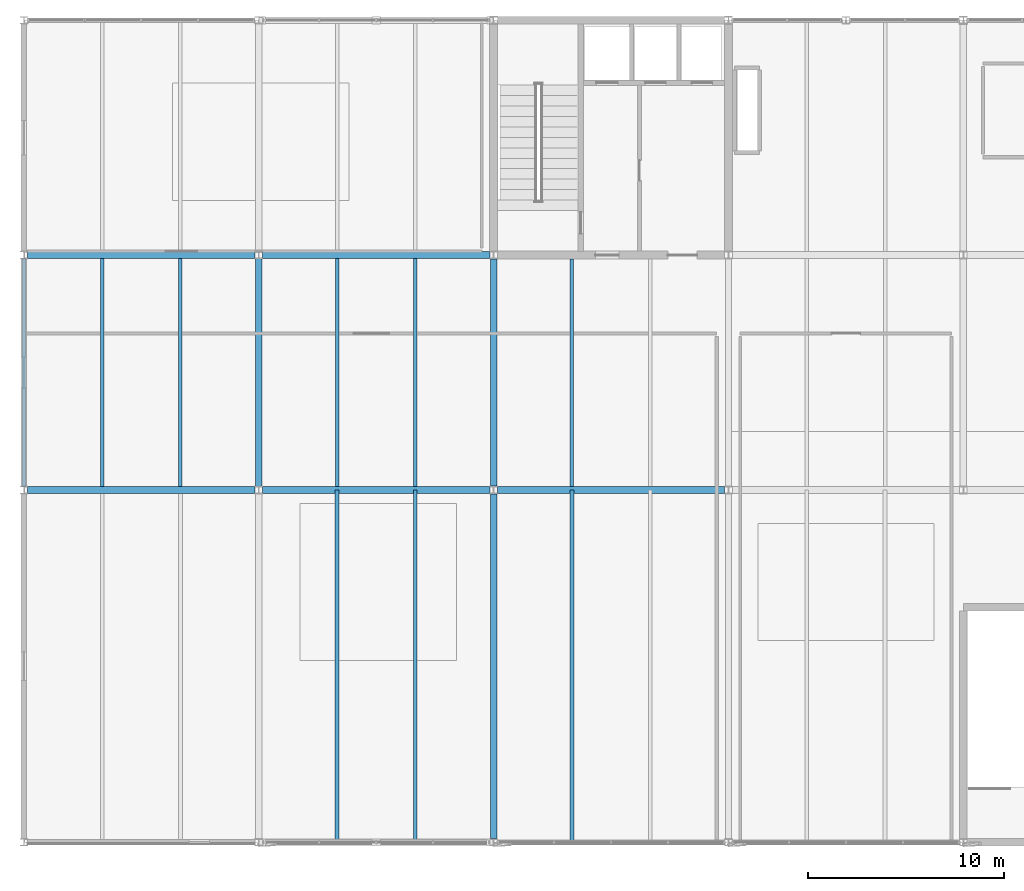
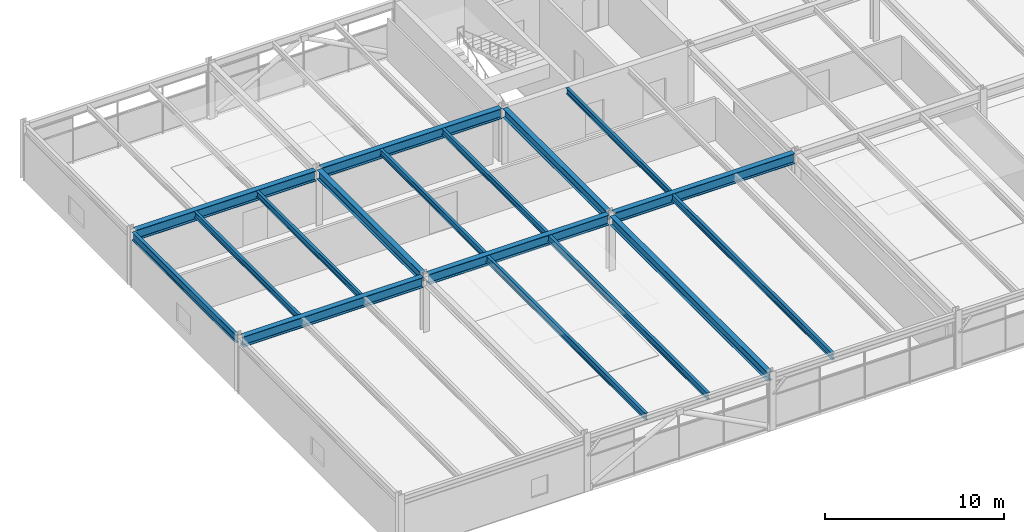
# One storey, part 12 of 52: 17 beams.
"""IFC4 building model written with IfcOpenShell, lengths in metres."""

import ifcopenshell
import ifcopenshell.guid

model = None  # the IFC model being written
_history = None  # IfcOwnerHistory: only IFC2X3 demands one
_inside = {}  # id of a spatial element -> (the spatial element, [elements in it])
_under = {}  # id of a project, library or spatial element -> (it, [spatial elements below it])
_declared = {}  # id of a project -> (the project, [libraries it declares])
_typed = {}  # id of a type object -> (the type object, [elements of that type])
_made_of = {}  # id of a material, layer set ... -> (it, [elements and type objects made of it])


def new_model(schema):
    """Start an empty IFC model of exactly this schema.

    Asked for "IFC4X3", IfcOpenShell would pick the latest addendum, in which some entities
    have other attributes; the version numbers below select the first issue.
    IFC2X3 requires an IfcOwnerHistory on every rooted entity: one is made here for all.
    """
    global model, _history
    if schema == "IFC4X3":
        model = ifcopenshell.file(schema_version=(4, 3, 0, 0))
    else:
        model = ifcopenshell.file(schema=schema)
    _inside.clear()
    _under.clear()
    _declared.clear()
    _typed.clear()
    _made_of.clear()
    _history = None
    if model.schema == "IFC2X3":
        org = make("IfcOrganization", Name="unknown")
        user = make(
            "IfcPersonAndOrganization",
            ThePerson=make("IfcPerson", FamilyName="unknown"),
            TheOrganization=org,
        )
        app = make(
            "IfcApplication",
            ApplicationDeveloper=org,
            Version="unknown",
            ApplicationFullName="unknown",
            ApplicationIdentifier="unknown",
        )
        _history = make(
            "IfcOwnerHistory",
            OwningUser=user,
            OwningApplication=app,
            ChangeAction="ADDED",
            CreationDate=0,
        )
    return model


def make(cls, **values):
    """One entity of the class cls with the attributes given. An attribute that is None is left unset."""
    return model.create_entity(
        cls, **{name: value for name, value in values.items() if value is not None}
    )


def rooted(cls, **values):
    """An entity with a GlobalId (a new one), such as an element, a storey or a relation."""
    return make(cls, GlobalId=ifcopenshell.guid.new(), OwnerHistory=_history, **values)


def si_unit(unit_type, name, prefix=None):
    """IfcSIUnit, for example si_unit("LENGTHUNIT", "METRE", prefix="MILLI")."""
    return make("IfcSIUnit", UnitType=unit_type, Prefix=prefix, Name=name)


def assignment(units):
    """IfcUnitAssignment: the units of a project."""
    return None if units is None else make("IfcUnitAssignment", Units=units)


def point(xyz):
    """IfcCartesianPoint."""
    return None if xyz is None else make("IfcCartesianPoint", Coordinates=xyz)


def direction(xyz):
    """IfcDirection."""
    return None if xyz is None else make("IfcDirection", DirectionRatios=xyz)


def frame(location, z_axis=None, x_axis=None):
    """IfcAxis2Placement3D, a coordinate frame: its origin and axes. An axis left out is left unset."""
    return make(
        "IfcAxis2Placement3D",
        Location=point(location),
        Axis=direction(z_axis),
        RefDirection=direction(x_axis),
    )


def frame_2d(location, x_axis=None):
    """IfcAxis2Placement2D, a coordinate frame in the plane: its origin and x axis."""
    return make(
        "IfcAxis2Placement2D", Location=point(location), RefDirection=direction(x_axis)
    )


def origin():
    """The frame at (0, 0, 0) with its axes left unset."""
    return frame((0.0, 0.0, 0.0))


def origin_2d():
    """The frame at (0, 0) in the plane with its x axis left unset."""
    return frame_2d((0.0, 0.0))


def place(relative_to, where):
    """IfcLocalPlacement: puts the frame where relative to a parent placement (None: the world)."""
    return make(
        "IfcLocalPlacement", PlacementRelTo=relative_to, RelativePlacement=where
    )


def context(
    kind, dimensions, precision=None, world=None, true_north=None, identifier=None
):
    """IfcGeometricRepresentationContext, for example the 3D "Model" context."""
    return make(
        "IfcGeometricRepresentationContext",
        ContextIdentifier=identifier,
        ContextType=kind,
        CoordinateSpaceDimension=dimensions,
        Precision=precision,
        WorldCoordinateSystem=world,
        TrueNorth=true_north,
    )


def subcontext(parent, identifier, kind, view, scale=None):
    """IfcGeometricRepresentationSubContext, for example "Body" below "Model"."""
    return make(
        "IfcGeometricRepresentationSubContext",
        ContextIdentifier=identifier,
        ContextType=kind,
        ParentContext=parent,
        TargetScale=scale,
        TargetView=view,
    )


def project(units=None, contexts=None):
    """IfcProject with its units and contexts."""
    return rooted(
        "IfcProject",
        Name="project",
        RepresentationContexts=contexts,
        UnitsInContext=assignment(units),
    )


def spatial(cls, under=None, at=None, **own):
    """A site, building, storey or space (cls), placed at a placement, below another one or the project."""
    s = rooted(cls, ObjectPlacement=at, **own)
    if under is not None:
        _under.setdefault(under.id(), (under, []))[1].append(s)
    return s


def profile(cls, at=None, kind="AREA", **sizes):
    """A parametric profile (cls). Its sizes go by their IFC names, for example OverallWidth=200.0."""
    return make(cls, ProfileType=kind, Position=at, **sizes)


def i_section(**sizes):
    """IfcIShapeProfileDef."""
    return profile("IfcIShapeProfileDef", **sizes)


def extrude(swept, where, along, depth):
    """IfcExtrudedAreaSolid: the profile swept, set in the frame where, extruded along a direction by depth."""
    return make(
        "IfcExtrudedAreaSolid",
        SweptArea=swept,
        Position=where,
        ExtrudedDirection=direction(along),
        Depth=depth,
    )


def shape(context_of_items, identifier, shape_type, items):
    """IfcShapeRepresentation: the items that make up one representation, for example the "Body"."""
    return make(
        "IfcShapeRepresentation",
        ContextOfItems=context_of_items,
        RepresentationIdentifier=identifier,
        RepresentationType=shape_type,
        Items=items,
    )


def material(Name=None, Category=None):
    """IfcMaterial."""
    return make("IfcMaterial", Name=Name, Category=Category)


def material_profile(
    of_material, cross_section, Name=None, Category=None, Priority=None
):
    """IfcMaterialProfile: a cross section and its material."""
    return make(
        "IfcMaterialProfile",
        Name=Name,
        Material=of_material,
        Profile=cross_section,
        Priority=Priority,
        Category=Category,
    )


def profile_set(profiles, Name=None, composite=None):
    """IfcMaterialProfileSet."""
    return make(
        "IfcMaterialProfileSet",
        Name=Name,
        MaterialProfiles=profiles,
        CompositeProfile=composite,
    )


def made_of(thing, what):
    """Note that an element or type object is made of a material, layer set ...; save() writes the relation."""
    if what is not None:
        _made_of.setdefault(what.id(), (what, []))[1].append(thing)
    return thing


def type_object(cls, material=None, **own):
    """A type object (cls), such as IfcWallType, which elements share."""
    return made_of(rooted(cls, **own), material)


def element(
    cls,
    number,
    at=None,
    inside=None,
    cuts=None,
    type_object=None,
    material=None,
    context=None,
    identifier="Body",
    shape_type=None,
    held_by="IfcProductDefinitionShape",
    body=None,
    shapes=None,
    **own,
):
    """One element of the class cls, such as IfcWall. Its Tag is "e" and its number.

    at: its placement. inside: the storey or other place that contains it. cuts: it is an
    opening in that element (IfcRelVoidsElement). A single representation is given by context,
    identifier, shape_type and body (its items); several are given by shapes. held_by: the class
    of the entity that holds the representations. save() writes the other relations.
    """
    e = rooted(cls, Tag="e%d" % number, ObjectPlacement=at, **own)
    if body is not None:
        shapes = [shape(context, identifier, shape_type, body)]
    if shapes is not None:
        e.Representation = make(held_by, Representations=shapes)
    if inside is not None:
        _inside.setdefault(inside.id(), (inside, []))[1].append(e)
    if cuts is not None:
        rooted(
            "IfcRelVoidsElement", RelatingBuildingElement=cuts, RelatedOpeningElement=e
        )
    if type_object is not None:
        _typed.setdefault(type_object.id(), (type_object, []))[1].append(e)
    return made_of(e, material)


def aggregate(whole, parts):
    """IfcRelAggregates: a whole, such as a stair, and the parts it consists of."""
    return rooted("IfcRelAggregates", RelatingObject=whole, RelatedObjects=parts)


def save(model, path):
    """Write the relations noted so far, then the file.

    IfcRelAggregates (storeys below a building ...), IfcRelContainedInSpatialStructure (elements
    in a storey), IfcRelDefinesByType, IfcRelAssociatesMaterial and IfcRelDeclares: one each for
    every whole, place, type object, material and project.
    """
    for whole, parts in _under.values():
        aggregate(whole, parts)
    for where, things in _inside.values():
        rooted(
            "IfcRelContainedInSpatialStructure",
            RelatedElements=things,
            RelatingStructure=where,
        )
    for kind, things in _typed.values():
        rooted("IfcRelDefinesByType", RelatedObjects=things, RelatingType=kind)
    for what, things in _made_of.values():
        rooted("IfcRelAssociatesMaterial", RelatedObjects=things, RelatingMaterial=what)
    for by, libraries in _declared.values():
        rooted("IfcRelDeclares", RelatingContext=by, RelatedDefinitions=libraries)
    model.write(path)


model = new_model("IFC4")

# Units and contexts
model_context = context("Model", 3, precision=1e-05, world=origin(), true_north=direction((0.0, 1.0)))
body_context = subcontext(model_context, "Body", "Model", "MODEL_VIEW")
ifc_project = project(units=[si_unit("LENGTHUNIT", "METRE"), si_unit("AREAUNIT", "SQUARE_METRE"), si_unit("VOLUMEUNIT", "CUBIC_METRE"), si_unit("PLANEANGLEUNIT", "RADIAN"), si_unit("MASSUNIT", "GRAM", prefix="KILO")], contexts=[model_context])

# Site, building, storey
site_placement = place(None, origin())
site = spatial("IfcSite", under=ifc_project, at=site_placement, CompositionType="ELEMENT")
building_placement = place(site_placement, origin())
building = spatial("IfcBuilding", under=site, at=building_placement, Name="Girod Span Mobility Hub", CompositionType="ELEMENT")
storey_placement = place(building_placement, frame((0.0, 0.0, 45.60009765625)))
storey = spatial("IfcBuildingStorey", under=building, at=storey_placement, Name="L11", CompositionType="ELEMENT", Elevation=45.60009765625)

# Beams
ifc_material_1 = material(Name="Steel A992 Grade 50", Category="steel")
ifc_material_profile_1 = material_profile(ifc_material_1, i_section(OverallWidth=0.178955078125, OverallDepth=0.409912109375, WebThickness=0.0087890625, FlangeThickness=0.014404296875, FilletRadius=0.012939453125, at=origin_2d()), Name="W16X45")
ifc_profile_set_1 = profile_set([ifc_material_profile_1], Name="Steel A992 Grade 50")
beam_type_1 = type_object("IfcBeamType", Name="BM-STL-W16X45", PredefinedType="BEAM", material=ifc_profile_set_1)
for number, where, z_axis, x_axis, name in (
    (1, (28.0, 45.174560546875, 3.574951171875), (0.0, 1.0, 0.0), (-1.0, 0.0, 0.0), "Composite Floorbeam 3/D-1 L11"),
    (2, (32.0, 45.174560546875, 3.574951171875), (0.0, 1.0, 0.0), (-1.0, 0.0, 0.0), "Composite Floorbeam 3/D-2 L11"),
    (3, (40.0, 45.174560546875, 3.635009765625), (0.0, 1.0, 0.0), (-1.0, 0.0, 0.0), "Composite Floorbeam 4/D-1 L11"),
    (4, (44.0, 45.174560546875, 3.635009765625), (0.0, 1.0, 0.0), (-1.0, 0.0, 0.0), "Composite Floorbeam 4/D-2 L11"),
):
    element("IfcBeam", number, at=place(storey_placement, frame(where, z_axis=z_axis, x_axis=x_axis)), inside=storey, type_object=beam_type_1, Name=name, PredefinedType="BEAM", context=body_context, shape_type="SweptSolid", body=[
        extrude(i_section(OverallWidth=0.178955078125, OverallDepth=0.409912109375, WebThickness=0.0087890625, FlangeThickness=0.014404296875, FilletRadius=0.012939453125, at=origin_2d()), origin(), (0.0, 0.0, 1.0), 11.65087890625),
    ])
beam_1_placement = place(storey_placement, frame((52.0, 45.174560546875, 3.635009765625), z_axis=(0.0, 1.0, 0.0), x_axis=(-1.0, 0.0, 0.0)))
element("IfcBeam", 5, at=beam_1_placement, inside=storey, type_object=beam_type_1, Name="Composite Floorbeam 5/D-1 L11", PredefinedType="BEAM", context=body_context, shape_type="SweptSolid", body=[
    extrude(i_section(OverallWidth=0.178955078125, OverallDepth=0.409912109375, WebThickness=0.0087890625, FlangeThickness=0.014404296875, FilletRadius=0.012939453125, at=origin_2d()), origin(), (0.0, 0.0, 1.0), 11.62841796875),
])
ifc_material_2 = material(Name="Steel A992 Grade 50", Category="steel")
ifc_material_profile_2 = material_profile(ifc_material_2, i_section(OverallWidth=0.19189453125, OverallDepth=0.462890625, WebThickness=0.010498046875, FlangeThickness=0.017578125, FilletRadius=0.013916015625, at=origin_2d()), Name="W18X60")
ifc_profile_set_2 = profile_set([ifc_material_profile_2], Name="Steel A992 Grade 50")
beam_type_2 = type_object("IfcBeamType", Name="BM-STL-W18X60", PredefinedType="BEAM", material=ifc_profile_set_2)
for number, where, z_axis, x_axis, name in (
    (6, (40.0, 27.10302734375, 3.54833984375), (0.0, 1.0, 0.0), (-1.0, 0.0, 0.0), "Composite Floorbeam 4/C-1 L11"),
    (7, (44.0, 27.10302734375, 3.54833984375), (0.0, 1.0, 0.0), (-1.0, 0.0, 0.0), "Composite Floorbeam 4/C-2 L11"),
):
    element("IfcBeam", number, at=place(storey_placement, frame(where, z_axis=z_axis, x_axis=x_axis)), inside=storey, type_object=beam_type_2, Name=name, PredefinedType="BEAM", context=body_context, shape_type="SweptSolid", body=[
        extrude(i_section(OverallWidth=0.19189453125, OverallDepth=0.462890625, WebThickness=0.010498046875, FlangeThickness=0.017578125, FilletRadius=0.013916015625, at=origin_2d()), origin(), (0.0, 0.0, 1.0), 17.89208984375),
    ])
beam_2_placement = place(storey_placement, frame((52.0, 27.0048828125, 3.5283203125), z_axis=(0.0, 1.0, 0.0), x_axis=(-1.0, 0.0, 0.0)))
element("IfcBeam", 8, at=beam_2_placement, inside=storey, type_object=beam_type_2, Name="Composite Floorbeam 5/C-1 L11", PredefinedType="BEAM", context=body_context, shape_type="SweptSolid", body=[
    extrude(i_section(OverallWidth=0.19189453125, OverallDepth=0.462890625, WebThickness=0.010498046875, FlangeThickness=0.017578125, FilletRadius=0.013916015625, at=origin_2d()), origin(), (0.0, 0.0, 1.0), 17.990234375),
])
ifc_material_3 = material(Name="Steel A992 Grade 50", Category="steel")
ifc_material_profile_3 = material_profile(ifc_material_3, i_section(OverallWidth=0.2119140625, OverallDepth=0.5439453125, WebThickness=0.01318359375, FlangeThickness=0.021240234375, FilletRadius=0.014892578125, at=origin_2d()), Name="W21X83")
ifc_profile_set_3 = profile_set([ifc_material_profile_3], Name="Steel A992 Grade 50")
beam_type_3 = type_object("IfcBeamType", Name="BM-STL-W21X83", PredefinedType="SPANDREL", material=ifc_profile_set_3)
beam_3_placement = place(storey_placement, frame((24.0, 45.1845703125, 3.5078125), z_axis=(0.0, 1.0, 0.0), x_axis=(-1.0, 0.0, 0.0)))
element("IfcBeam", 9, at=beam_3_placement, inside=storey, type_object=beam_type_3, Name="Tie Girder 3/D-E L11", PredefinedType="SPANDREL", context=body_context, shape_type="SweptSolid", body=[
    extrude(i_section(OverallWidth=0.2119140625, OverallDepth=0.5439453125, WebThickness=0.01318359375, FlangeThickness=0.021240234375, FilletRadius=0.014892578125, at=origin_2d()), origin(), (0.0, 0.0, 1.0), 11.630859375),
])
ifc_material_4 = material(Name="Steel A992 Grade 50", Category="steel")
ifc_material_profile_4 = material_profile(ifc_material_4, i_section(OverallWidth=0.323974609375, OverallDepth=0.611083984375, WebThickness=0.0126953125, FlangeThickness=0.01904296875, FilletRadius=0.014892578125, at=origin_2d()), Name="W24X104")
ifc_profile_set_4 = profile_set([ifc_material_profile_4], Name="Steel A992 Grade 50")
beam_type_4 = type_object("IfcBeamType", Name="BM-STL-W24X104", PredefinedType="BEAM", material=ifc_profile_set_4)
beam_4_placement = place(storey_placement, frame((36.0, 45.1845703125, 3.534423828125), z_axis=(0.0, 1.0, 0.0), x_axis=(-1.0, 0.0, 0.0)))
element("IfcBeam", 10, at=beam_4_placement, inside=storey, type_object=beam_type_4, Name="Tie Girder 4/D-E L11", PredefinedType="BEAM", context=body_context, shape_type="SweptSolid", body=[
    extrude(i_section(OverallWidth=0.323974609375, OverallDepth=0.611083984375, WebThickness=0.0126953125, FlangeThickness=0.01904296875, FilletRadius=0.014892578125, at=origin_2d()), origin(), (0.0, 0.0, 1.0), 11.630859375),
])
beam_5_placement = place(storey_placement, frame((48.0, 27.1845703125, 3.454345703125), z_axis=(0.0, 1.0, 0.0), x_axis=(-1.0, 0.0, 0.0)))
element("IfcBeam", 11, at=beam_5_placement, inside=storey, type_object=beam_type_4, Name="Tie Girder 5/C-D L11", PredefinedType="BEAM", context=body_context, shape_type="SweptSolid", body=[
    extrude(i_section(OverallWidth=0.323974609375, OverallDepth=0.611083984375, WebThickness=0.0126953125, FlangeThickness=0.01904296875, FilletRadius=0.014892578125, at=origin_2d()), origin(), (0.0, 0.0, 1.0), 17.621826171875),
])
beam_6_placement = place(storey_placement, frame((48.0, 45.193603515625, 3.534423828125), z_axis=(0.0, 1.0, 0.0), x_axis=(-1.0, 0.0, 0.0)))
element("IfcBeam", 12, at=beam_6_placement, inside=storey, type_object=beam_type_4, Name="Tie Girder 5/D-E L11", PredefinedType="BEAM", context=body_context, shape_type="SweptSolid", body=[
    extrude(i_section(OverallWidth=0.323974609375, OverallDepth=0.611083984375, WebThickness=0.0126953125, FlangeThickness=0.01904296875, FilletRadius=0.014892578125, at=origin_2d()), origin(), (0.0, 0.0, 1.0), 11.61279296875),
])
ifc_material_5 = material(Name="Steel A992 Grade 50", Category="steel")
ifc_material_profile_5 = material_profile(ifc_material_5, i_section(OverallWidth=0.35498046875, OverallDepth=0.695068359375, WebThickness=0.015380859375, FlangeThickness=0.02490234375, FilletRadius=0.01806640625, at=origin_2d()), Name="W27X146")
ifc_profile_set_5 = profile_set([ifc_material_profile_5], Name="Steel A992 Grade 50")
beam_type_5 = type_object("IfcBeamType", Name="BM-STL-W27X146", PredefinedType="BEAM", material=ifc_profile_set_5)
beam_7_placement = place(storey_placement, frame((24.194091796875, 45.0, 3.432373046875), z_axis=(1.0, 0.0, 0.0), x_axis=(0.0, 1.0, 0.0)))
element("IfcBeam", 13, at=beam_7_placement, inside=storey, type_object=beam_type_5, Name="Girder 3-4/D L11", PredefinedType="BEAM", context=body_context, shape_type="SweptSolid", body=[
    extrude(i_section(OverallWidth=0.35498046875, OverallDepth=0.695068359375, WebThickness=0.015380859375, FlangeThickness=0.02490234375, FilletRadius=0.01806640625, at=origin_2d()), origin(), (0.0, 0.0, 1.0), 11.61181640625),
])
beam_8_placement = place(storey_placement, frame((36.194091796875, 45.0, 3.492431640625), z_axis=(1.0, 0.0, 0.0), x_axis=(0.0, 1.0, 0.0)))
element("IfcBeam", 14, at=beam_8_placement, inside=storey, type_object=beam_type_5, Name="Girder 4-5/D L11", PredefinedType="BEAM", context=body_context, shape_type="SweptSolid", body=[
    extrude(i_section(OverallWidth=0.35498046875, OverallDepth=0.695068359375, WebThickness=0.015380859375, FlangeThickness=0.02490234375, FilletRadius=0.01806640625, at=origin_2d()), origin(), (0.0, 0.0, 1.0), 11.609375),
])
beam_9_placement = place(storey_placement, frame((48.196533203125, 45.0, 3.492431640625), z_axis=(1.0, 0.0, 0.0), x_axis=(0.0, 1.0, 0.0)))
element("IfcBeam", 15, at=beam_9_placement, inside=storey, type_object=beam_type_5, Name="Girder 5-6/D L11", PredefinedType="BEAM", context=body_context, shape_type="SweptSolid", body=[
    extrude(i_section(OverallWidth=0.35498046875, OverallDepth=0.695068359375, WebThickness=0.015380859375, FlangeThickness=0.02490234375, FilletRadius=0.01806640625, at=origin_2d()), origin(), (0.0, 0.0, 1.0), 11.60693359375),
])
beam_10_placement = place(storey_placement, frame((24.194091796875, 57.0, 3.432373046875), z_axis=(1.0, 0.0, 0.0), x_axis=(0.0, 1.0, 0.0)))
element("IfcBeam", 16, at=beam_10_placement, inside=storey, type_object=beam_type_5, Name="Girder 3-4/E L11", PredefinedType="BEAM", context=body_context, shape_type="SweptSolid", body=[
    extrude(i_section(OverallWidth=0.35498046875, OverallDepth=0.695068359375, WebThickness=0.015380859375, FlangeThickness=0.02490234375, FilletRadius=0.01806640625, at=origin_2d()), origin(), (0.0, 0.0, 1.0), 11.61181640625),
])
beam_11_placement = place(storey_placement, frame((36.194091796875, 57.0, 3.492431640625), z_axis=(1.0, 0.0, 0.0), x_axis=(0.0, 1.0, 0.0)))
element("IfcBeam", 17, at=beam_11_placement, inside=storey, type_object=beam_type_5, Name="Girder 4-5/E L11", PredefinedType="BEAM", context=body_context, shape_type="SweptSolid", body=[
    extrude(i_section(OverallWidth=0.35498046875, OverallDepth=0.695068359375, WebThickness=0.015380859375, FlangeThickness=0.02490234375, FilletRadius=0.01806640625, at=origin_2d()), origin(), (0.0, 0.0, 1.0), 11.609375),
])

save(model, "model.ifc")
